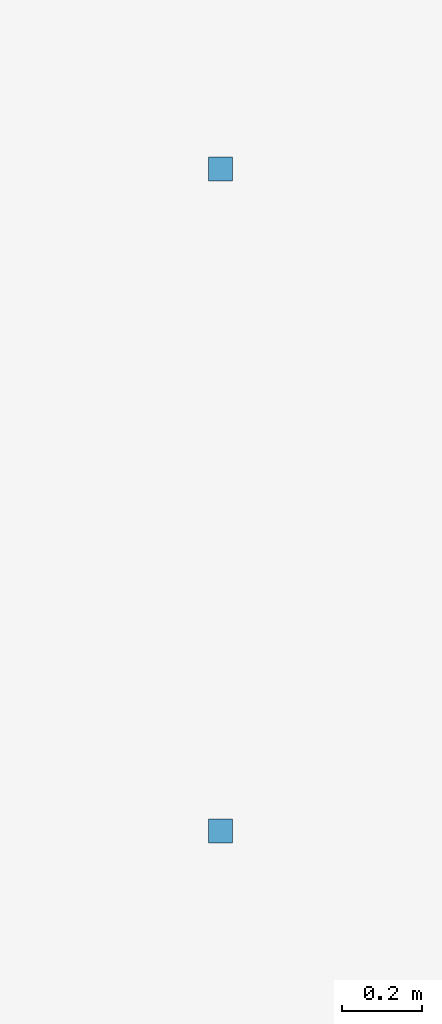
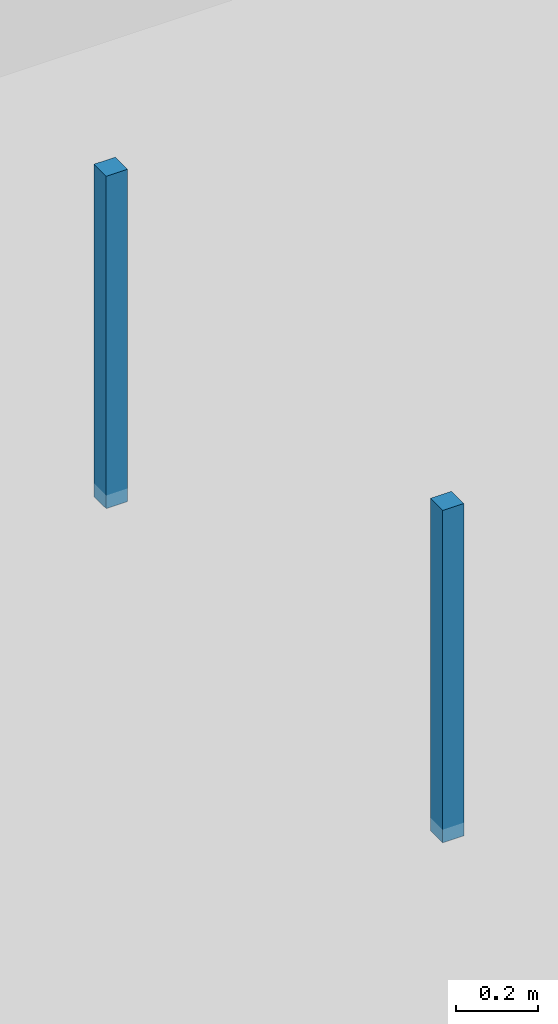
# One storey, part 75 of 140: 2 discrete accessories.
"""IFC4 building model written with IfcOpenShell, lengths in metres."""

import ifcopenshell
import ifcopenshell.guid

model = None  # the IFC model being written
_history = None  # IfcOwnerHistory: only IFC2X3 demands one
_inside = {}  # id of a spatial element -> (the spatial element, [elements in it])
_under = {}  # id of a project, library or spatial element -> (it, [spatial elements below it])
_declared = {}  # id of a project -> (the project, [libraries it declares])
_typed = {}  # id of a type object -> (the type object, [elements of that type])
_made_of = {}  # id of a material, layer set ... -> (it, [elements and type objects made of it])


def new_model(schema):
    """Start an empty IFC model of exactly this schema.

    Asked for "IFC4X3", IfcOpenShell would pick the latest addendum, in which some entities
    have other attributes; the version numbers below select the first issue.
    IFC2X3 requires an IfcOwnerHistory on every rooted entity: one is made here for all.
    """
    global model, _history
    if schema == "IFC4X3":
        model = ifcopenshell.file(schema_version=(4, 3, 0, 0))
    else:
        model = ifcopenshell.file(schema=schema)
    _inside.clear()
    _under.clear()
    _declared.clear()
    _typed.clear()
    _made_of.clear()
    _history = None
    if model.schema == "IFC2X3":
        org = make("IfcOrganization", Name="unknown")
        user = make(
            "IfcPersonAndOrganization",
            ThePerson=make("IfcPerson", FamilyName="unknown"),
            TheOrganization=org,
        )
        app = make(
            "IfcApplication",
            ApplicationDeveloper=org,
            Version="unknown",
            ApplicationFullName="unknown",
            ApplicationIdentifier="unknown",
        )
        _history = make(
            "IfcOwnerHistory",
            OwningUser=user,
            OwningApplication=app,
            ChangeAction="ADDED",
            CreationDate=0,
        )
    return model


def make(cls, **values):
    """One entity of the class cls with the attributes given. An attribute that is None is left unset."""
    return model.create_entity(
        cls, **{name: value for name, value in values.items() if value is not None}
    )


def rooted(cls, **values):
    """An entity with a GlobalId (a new one), such as an element, a storey or a relation."""
    return make(cls, GlobalId=ifcopenshell.guid.new(), OwnerHistory=_history, **values)


def si_unit(unit_type, name, prefix=None):
    """IfcSIUnit, for example si_unit("LENGTHUNIT", "METRE", prefix="MILLI")."""
    return make("IfcSIUnit", UnitType=unit_type, Prefix=prefix, Name=name)


def assignment(units):
    """IfcUnitAssignment: the units of a project."""
    return None if units is None else make("IfcUnitAssignment", Units=units)


def point(xyz):
    """IfcCartesianPoint."""
    return None if xyz is None else make("IfcCartesianPoint", Coordinates=xyz)


def direction(xyz):
    """IfcDirection."""
    return None if xyz is None else make("IfcDirection", DirectionRatios=xyz)


def frame(location, z_axis=None, x_axis=None):
    """IfcAxis2Placement3D, a coordinate frame: its origin and axes. An axis left out is left unset."""
    return make(
        "IfcAxis2Placement3D",
        Location=point(location),
        Axis=direction(z_axis),
        RefDirection=direction(x_axis),
    )


def frame_2d(location, x_axis=None):
    """IfcAxis2Placement2D, a coordinate frame in the plane: its origin and x axis."""
    return make(
        "IfcAxis2Placement2D", Location=point(location), RefDirection=direction(x_axis)
    )


def origin():
    """The frame at (0, 0, 0) with its axes left unset."""
    return frame((0.0, 0.0, 0.0))


def origin_2d():
    """The frame at (0, 0) in the plane with its x axis left unset."""
    return frame_2d((0.0, 0.0))


def place(relative_to, where):
    """IfcLocalPlacement: puts the frame where relative to a parent placement (None: the world)."""
    return make(
        "IfcLocalPlacement", PlacementRelTo=relative_to, RelativePlacement=where
    )


def context(
    kind, dimensions, precision=None, world=None, true_north=None, identifier=None
):
    """IfcGeometricRepresentationContext, for example the 3D "Model" context."""
    return make(
        "IfcGeometricRepresentationContext",
        ContextIdentifier=identifier,
        ContextType=kind,
        CoordinateSpaceDimension=dimensions,
        Precision=precision,
        WorldCoordinateSystem=world,
        TrueNorth=true_north,
    )


def subcontext(parent, identifier, kind, view, scale=None):
    """IfcGeometricRepresentationSubContext, for example "Body" below "Model"."""
    return make(
        "IfcGeometricRepresentationSubContext",
        ContextIdentifier=identifier,
        ContextType=kind,
        ParentContext=parent,
        TargetScale=scale,
        TargetView=view,
    )


def project(units=None, contexts=None):
    """IfcProject with its units and contexts."""
    return rooted(
        "IfcProject",
        Name="project",
        RepresentationContexts=contexts,
        UnitsInContext=assignment(units),
    )


def spatial(cls, under=None, at=None, **own):
    """A site, building, storey or space (cls), placed at a placement, below another one or the project."""
    s = rooted(cls, ObjectPlacement=at, **own)
    if under is not None:
        _under.setdefault(under.id(), (under, []))[1].append(s)
    return s


def profile(cls, at=None, kind="AREA", **sizes):
    """A parametric profile (cls). Its sizes go by their IFC names, for example OverallWidth=200.0."""
    return make(cls, ProfileType=kind, Position=at, **sizes)


def rectangle(**sizes):
    """IfcRectangleProfileDef."""
    return profile("IfcRectangleProfileDef", **sizes)


def extrude(swept, where, along, depth):
    """IfcExtrudedAreaSolid: the profile swept, set in the frame where, extruded along a direction by depth."""
    return make(
        "IfcExtrudedAreaSolid",
        SweptArea=swept,
        Position=where,
        ExtrudedDirection=direction(along),
        Depth=depth,
    )


def shape(context_of_items, identifier, shape_type, items):
    """IfcShapeRepresentation: the items that make up one representation, for example the "Body"."""
    return make(
        "IfcShapeRepresentation",
        ContextOfItems=context_of_items,
        RepresentationIdentifier=identifier,
        RepresentationType=shape_type,
        Items=items,
    )


def material(Name=None, Category=None):
    """IfcMaterial."""
    return make("IfcMaterial", Name=Name, Category=Category)


def made_of(thing, what):
    """Note that an element or type object is made of a material, layer set ...; save() writes the relation."""
    if what is not None:
        _made_of.setdefault(what.id(), (what, []))[1].append(thing)
    return thing


def type_object(cls, material=None, **own):
    """A type object (cls), such as IfcWallType, which elements share."""
    return made_of(rooted(cls, **own), material)


def element(
    cls,
    number,
    at=None,
    inside=None,
    cuts=None,
    type_object=None,
    material=None,
    context=None,
    identifier="Body",
    shape_type=None,
    held_by="IfcProductDefinitionShape",
    body=None,
    shapes=None,
    **own,
):
    """One element of the class cls, such as IfcWall. Its Tag is "e" and its number.

    at: its placement. inside: the storey or other place that contains it. cuts: it is an
    opening in that element (IfcRelVoidsElement). A single representation is given by context,
    identifier, shape_type and body (its items); several are given by shapes. held_by: the class
    of the entity that holds the representations. save() writes the other relations.
    """
    e = rooted(cls, Tag="e%d" % number, ObjectPlacement=at, **own)
    if body is not None:
        shapes = [shape(context, identifier, shape_type, body)]
    if shapes is not None:
        e.Representation = make(held_by, Representations=shapes)
    if inside is not None:
        _inside.setdefault(inside.id(), (inside, []))[1].append(e)
    if cuts is not None:
        rooted(
            "IfcRelVoidsElement", RelatingBuildingElement=cuts, RelatedOpeningElement=e
        )
    if type_object is not None:
        _typed.setdefault(type_object.id(), (type_object, []))[1].append(e)
    return made_of(e, material)


def aggregate(whole, parts):
    """IfcRelAggregates: a whole, such as a stair, and the parts it consists of."""
    return rooted("IfcRelAggregates", RelatingObject=whole, RelatedObjects=parts)


def save(model, path):
    """Write the relations noted so far, then the file.

    IfcRelAggregates (storeys below a building ...), IfcRelContainedInSpatialStructure (elements
    in a storey), IfcRelDefinesByType, IfcRelAssociatesMaterial and IfcRelDeclares: one each for
    every whole, place, type object, material and project.
    """
    for whole, parts in _under.values():
        aggregate(whole, parts)
    for where, things in _inside.values():
        rooted(
            "IfcRelContainedInSpatialStructure",
            RelatedElements=things,
            RelatingStructure=where,
        )
    for kind, things in _typed.values():
        rooted("IfcRelDefinesByType", RelatedObjects=things, RelatingType=kind)
    for what, things in _made_of.values():
        rooted("IfcRelAssociatesMaterial", RelatedObjects=things, RelatingMaterial=what)
    for by, libraries in _declared.values():
        rooted("IfcRelDeclares", RelatingContext=by, RelatedDefinitions=libraries)
    model.write(path)


model = new_model("IFC4")

# Units and contexts
model_context = context("Model", 3, precision=1e-05, world=origin(), true_north=direction((0.0, 1.0)))
body_context = subcontext(model_context, "Body", "Model", "MODEL_VIEW")
ifc_project = project(units=[si_unit("LENGTHUNIT", "METRE"), si_unit("AREAUNIT", "SQUARE_METRE"), si_unit("VOLUMEUNIT", "CUBIC_METRE"), si_unit("PLANEANGLEUNIT", "RADIAN"), si_unit("MASSUNIT", "GRAM", prefix="KILO")], contexts=[model_context])

# Site, building, storey
site_placement = place(None, origin())
site = spatial("IfcSite", under=ifc_project, at=site_placement, CompositionType="ELEMENT")
building_placement = place(site_placement, origin())
building = spatial("IfcBuilding", under=site, at=building_placement, Name="Telukmera Botanical Conservatory", CompositionType="ELEMENT")
storey_placement = place(building_placement, origin())
storey = spatial("IfcBuildingStorey", under=building, at=storey_placement, Name="L00", CompositionType="ELEMENT", Elevation=0.0)

# Discrete accessories
ifc_material = material(Name="Steel S355", Category="steel")
discrete_accessory_type = type_object("IfcDiscreteAccessoryType", Name="ACC-CEIL-HGR", PredefinedType="BRACKET", material=ifc_material)
for number, where, z_axis, x_axis, name in (
    (1, (69.92041015625, 18.85009765625, 4.2099609375), (0.0, 0.0, 1.0), (1.0, 0.0, 0.0), "L00 Suspended Ceiling Hanger Rod 080-1"),
    (2, (69.92041015625, 20.5, 4.2099609375), (0.0, 0.0, 1.0), (1.0, 0.0, 0.0), "L00 Suspended Ceiling Hanger Rod 080-2"),
):
    element("IfcDiscreteAccessory", number, at=place(storey_placement, frame(where, z_axis=z_axis, x_axis=x_axis)), inside=storey, type_object=discrete_accessory_type, Name=name, PredefinedType="BRACKET", context=body_context, shape_type="SweptSolid", body=[
        extrude(rectangle(XDim=0.06005859375, YDim=0.06005859375, at=origin_2d()), origin(), (0.0, 0.0, 1.0), 0.9951171875),
    ])

save(model, "model.ifc")
